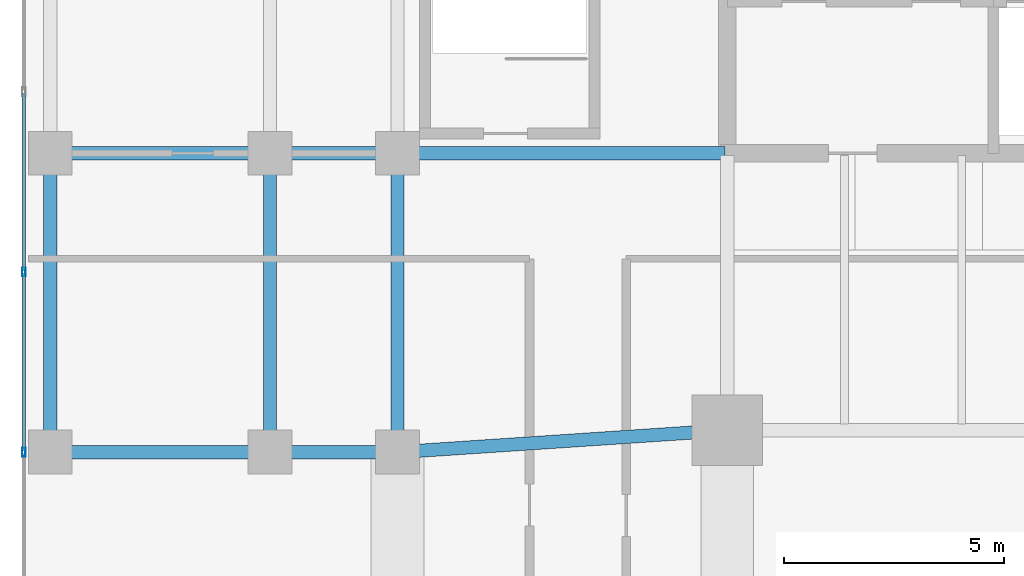
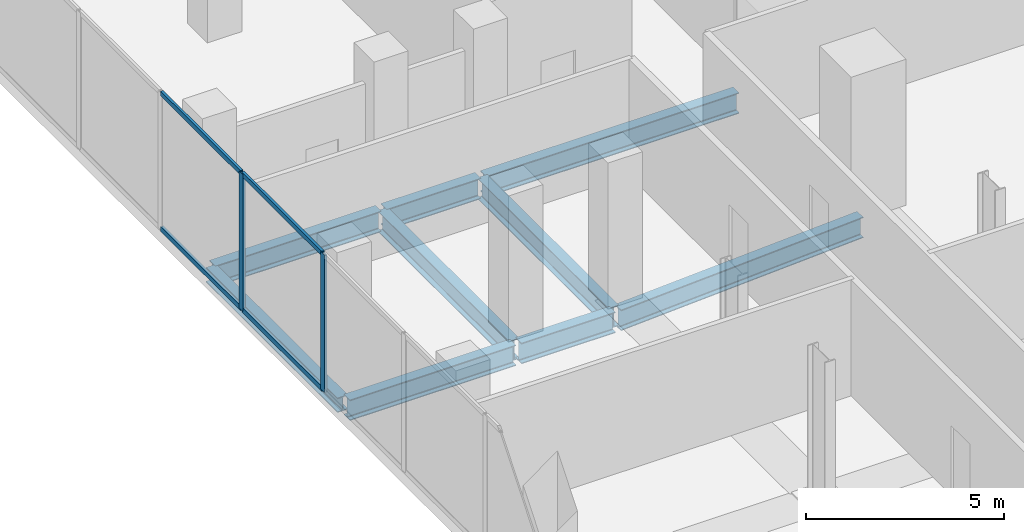
# One storey, part 8 of 24: 9 beams, 6 members, 1 element without a shape of its own.
"""IFC4 building model written with IfcOpenShell, lengths in metres."""

from ifc_helpers import new_model, si_unit, direction, frame, origin, origin_2d, place, context, subcontext, project, spatial, hollow_rectangle, i_section, extrude, material, layer, layer_set, material_profile, profile_set, type_object, element, aggregate, save


model = new_model("IFC4")

# Units and contexts
model_context = context("Model", 3, precision=1e-05, world=origin(), true_north=direction((0.0, 1.0)))
body_context = subcontext(model_context, "Body", "Model", "MODEL_VIEW")
ifc_project = project(units=[si_unit("LENGTHUNIT", "METRE"), si_unit("AREAUNIT", "SQUARE_METRE"), si_unit("VOLUMEUNIT", "CUBIC_METRE"), si_unit("PLANEANGLEUNIT", "RADIAN"), si_unit("MASSUNIT", "GRAM", prefix="KILO")], contexts=[model_context])

# Site, building, storey
site_placement = place(None, origin())
site = spatial("IfcSite", under=ifc_project, at=site_placement, CompositionType="ELEMENT")
building_placement = place(site_placement, origin())
building = spatial("IfcBuilding", under=site, at=building_placement, Name="Catumbela Crestline Tower", CompositionType="ELEMENT")
storey_placement = place(building_placement, frame((0.0, 0.0, 21.3)))
storey = spatial("IfcBuildingStorey", under=building, at=storey_placement, Name="L04", CompositionType="ELEMENT", Elevation=21.3)

# Beams
ifc_material_1 = material(Name="Structural steel S355J2", Category="steel")
ifc_material_profile_1 = material_profile(ifc_material_1, i_section(OverallWidth=0.3, OverallDepth=0.64, WebThickness=0.0135, FlangeThickness=0.026, FilletRadius=0.027, at=origin_2d()), Name="HEA 650")
ifc_profile_set_1 = profile_set([ifc_material_profile_1], Name="Structural steel S355J2")
beam_type_1 = type_object("IfcBeamType", Name="BG-HEA650", PredefinedType="BEAM", material=ifc_profile_set_1)
beam_1_placement = place(storey_placement, frame((0.68, 24.0, -0.77), z_axis=(1.0, 0.0, 0.0), x_axis=(0.0, 1.0, 0.0)))
element("IfcBeam", 1, at=beam_1_placement, inside=storey, type_object=beam_type_1, Name="L04 Beam BM-L04-S01", PredefinedType="BEAM", context=body_context, shape_type="SweptSolid", body=[
    extrude(i_section(OverallWidth=0.3, OverallDepth=0.64, WebThickness=0.0135, FlangeThickness=0.026, FilletRadius=0.027, at=origin_2d()), origin(), (0.0, 0.0, 1.0), 4.84),
])
beam_2_placement = place(storey_placement, frame((5.68, 24.0, -0.77), z_axis=(1.0, 0.0, 0.0), x_axis=(0.0, 1.0, 0.0)))
element("IfcBeam", 2, at=beam_2_placement, inside=storey, type_object=beam_type_1, Name="L04 Beam BM-L04-S02", PredefinedType="BEAM", context=body_context, shape_type="SweptSolid", body=[
    extrude(i_section(OverallWidth=0.3, OverallDepth=0.64, WebThickness=0.0135, FlangeThickness=0.026, FilletRadius=0.027, at=origin_2d()), origin(), (0.0, 0.0, 1.0), 2.74),
])
beam_3_placement = place(storey_placement, frame((8.5798, 24.0053, -0.77), z_axis=(0.997784796964, 0.066524423687, 0.0), x_axis=(-0.066524423687, 0.997784796964, 0.0)))
element("IfcBeam", 3, at=beam_3_placement, inside=storey, type_object=beam_type_1, Name="L04 Beam BM-L04-S03", PredefinedType="BEAM", context=body_context, shape_type="SweptSolid", body=[
    extrude(i_section(OverallWidth=0.3, OverallDepth=0.64, WebThickness=0.0135, FlangeThickness=0.026, FilletRadius=0.027, at=origin_2d()), origin(), (0.0, 0.0, 1.0), 7.3567),
])
beam_4_placement = place(storey_placement, frame((0.68, 30.8, -0.77), z_axis=(1.0, 0.0, 0.0), x_axis=(0.0, 1.0, 0.0)))
element("IfcBeam", 4, at=beam_4_placement, inside=storey, type_object=beam_type_1, Name="L04 Beam BM-L04-M07", PredefinedType="BEAM", context=body_context, shape_type="SweptSolid", body=[
    extrude(i_section(OverallWidth=0.3, OverallDepth=0.64, WebThickness=0.0135, FlangeThickness=0.026, FilletRadius=0.027, at=origin_2d()), origin(), (0.0, 0.0, 1.0), 4.84),
])
beam_5_placement = place(storey_placement, frame((5.68, 30.8, -0.77), z_axis=(1.0, 0.0, 0.0), x_axis=(0.0, 1.0, 0.0)))
element("IfcBeam", 5, at=beam_5_placement, inside=storey, type_object=beam_type_1, Name="L04 Beam BM-L04-M08", PredefinedType="BEAM", context=body_context, shape_type="SweptSolid", body=[
    extrude(i_section(OverallWidth=0.3, OverallDepth=0.64, WebThickness=0.0135, FlangeThickness=0.026, FilletRadius=0.027, at=origin_2d()), origin(), (0.0, 0.0, 1.0), 2.74),
])
beam_6_placement = place(storey_placement, frame((8.58, 30.8, -0.77), z_axis=(1.0, 0.0, 0.0), x_axis=(0.0, 1.0, 0.0)))
element("IfcBeam", 6, at=beam_6_placement, inside=storey, type_object=beam_type_1, Name="L04 Beam BM-L04-M09", PredefinedType="BEAM", context=body_context, shape_type="SweptSolid", body=[
    extrude(i_section(OverallWidth=0.3, OverallDepth=0.64, WebThickness=0.0135, FlangeThickness=0.026, FilletRadius=0.027, at=origin_2d()), origin(), (0.0, 0.0, 1.0), 7.37),
])
for number, where, z_axis, x_axis, name in (
    (7, (5.6, 24.08, -0.77), (0.0, 1.0, 0.0), (-1.0, 0.0, 0.0), "L04 Beam BM-L04-SN26"),
    (8, (8.5, 24.08, -0.77), (0.0, 1.0, 0.0), (-1.0, 0.0, 0.0), "L04 Beam BM-L04-SN28"),
):
    element("IfcBeam", number, at=place(storey_placement, frame(where, z_axis=z_axis, x_axis=x_axis)), inside=storey, type_object=beam_type_1, Name=name, PredefinedType="BEAM", context=body_context, shape_type="SweptSolid", body=[
        extrude(i_section(OverallWidth=0.3, OverallDepth=0.64, WebThickness=0.0135, FlangeThickness=0.026, FilletRadius=0.027, at=origin_2d()), origin(), (0.0, 0.0, 1.0), 6.64),
    ])

# Curtain wall, members
ifc_material_2 = material(Name="Aluminium alloy AW-6060-T66", Category="aluminium")
ifc_layer = layer(ifc_material_2, 0.18, Name="Aluminium alloy AW-6060-T66")
ifc_layer_set = layer_set([ifc_layer], Name="Aluminium alloy AW-6060-T66")
curtain_wall_type = type_object("IfcCurtainWallType", Name="CWS-POD", PredefinedType="USERDEFINED", material=ifc_layer_set)
curtain_wall_placement = place(storey_placement, origin())
curtain_wall = element("IfcCurtainWall", 9, at=curtain_wall_placement, inside=storey, type_object=curtain_wall_type, Name="L04 Stick Curtain Wall CW-L04-E9S1", ObjectType="STICK", PredefinedType="USERDEFINED")
ifc_material_profile_2 = material_profile(ifc_material_2, hollow_rectangle(XDim=0.075, YDim=0.2, WallThickness=0.005, at=origin_2d()), Name="ALU 200x75x5")
ifc_profile_set_2 = profile_set([ifc_material_profile_2], Name="Aluminium alloy AW-6060-T66")
member_type_1 = type_object("IfcMemberType", Name="MUL-200X75", PredefinedType="MULLION", material=ifc_profile_set_2)
member_1_placement = place(storey_placement, frame((0.0, 28.1, 0.0), z_axis=(0.0, 0.0, 1.0), x_axis=(1.0, 0.0, 0.0)))
member_1 = element("IfcMember", 10, at=member_1_placement, type_object=member_type_1, Name="CWS-POD mullion 5", PredefinedType="MULLION", context=body_context, shape_type="SweptSolid", body=[
    extrude(hollow_rectangle(XDim=0.075, YDim=0.2, WallThickness=0.005, at=origin_2d()), origin(), (0.0, 0.0, 1.0), 4.23),
])
member_2_placement = place(storey_placement, frame((0.0, 24.0, 0.0), z_axis=(0.0, 0.0, 1.0), x_axis=(1.0, 0.0, 0.0)))
member_2 = element("IfcMember", 11, at=member_2_placement, type_object=member_type_1, Name="CWS-POD mullion 6", PredefinedType="MULLION", context=body_context, shape_type="SweptSolid", body=[
    extrude(hollow_rectangle(XDim=0.075, YDim=0.2, WallThickness=0.005, at=origin_2d()), origin(), (0.0, 0.0, 1.0), 4.23),
])

# Beam
ifc_material_profile_3 = material_profile(ifc_material_1, i_section(OverallWidth=0.3, OverallDepth=0.45, WebThickness=0.014, FlangeThickness=0.026, FilletRadius=0.027, at=origin_2d()), Name="HEB 450")
ifc_profile_set_3 = profile_set([ifc_material_profile_3], Name="Structural steel S355J2")
beam_type_2 = type_object("IfcBeamType", Name="BS-HEB450", PredefinedType="SPANDREL", material=ifc_profile_set_3)
beam_7_placement = place(storey_placement, frame((0.6, 24.08, -0.675), z_axis=(0.0, 1.0, 0.0), x_axis=(-1.0, 0.0, 0.0)))
element("IfcBeam", 12, at=beam_7_placement, inside=storey, type_object=beam_type_2, Name="L04 Spandrel SP-L04-SN24", PredefinedType="SPANDREL", context=body_context, shape_type="SweptSolid", body=[
    extrude(i_section(OverallWidth=0.3, OverallDepth=0.45, WebThickness=0.014, FlangeThickness=0.026, FilletRadius=0.027, at=origin_2d()), origin(), (0.0, 0.0, 1.0), 6.64),
])

# Member
ifc_material_profile_4 = material_profile(ifc_material_2, hollow_rectangle(XDim=0.075, YDim=0.15, WallThickness=0.0045, at=origin_2d()), Name="ALU 150x75x4.5")
ifc_profile_set_4 = profile_set([ifc_material_profile_4], Name="Aluminium alloy AW-6060-T66")
member_type_2 = type_object("IfcMemberType", Name="TRN-150X75", PredefinedType="USERDEFINED", material=ifc_profile_set_4)
member_3_placement = place(storey_placement, frame((0.0, 32.1675, 0.03), z_axis=(0.0, -1.0, 0.0), x_axis=(1.0, 0.0, 0.0)))
member_3 = element("IfcMember", 13, at=member_3_placement, type_object=member_type_2, Name="CWS-POD transom 4.1", ObjectType="TRANSOM", PredefinedType="USERDEFINED", context=body_context, shape_type="SweptSolid", body=[
    extrude(hollow_rectangle(XDim=0.075, YDim=0.15, WallThickness=0.0045, at=origin_2d()), origin(), (0.0, 0.0, 1.0), 4.035),
])

member_4_placement = place(storey_placement, frame((0.0, 32.1675, 4.2), z_axis=(0.0, -1.0, 0.0), x_axis=(1.0, 0.0, 0.0)))
member_4 = element("IfcMember", 14, at=member_4_placement, type_object=member_type_2, Name="CWS-POD transom 4.2", ObjectType="TRANSOM", PredefinedType="USERDEFINED", context=body_context, shape_type="SweptSolid", body=[
    extrude(hollow_rectangle(XDim=0.075, YDim=0.15, WallThickness=0.0045, at=origin_2d()), origin(), (0.0, 0.0, 1.0), 4.035),
])

member_5_placement = place(storey_placement, frame((0.0, 28.0675, 0.03), z_axis=(0.0, -1.0, 0.0), x_axis=(1.0, 0.0, 0.0)))
member_5 = element("IfcMember", 15, at=member_5_placement, type_object=member_type_2, Name="CWS-POD transom 5.1", ObjectType="TRANSOM", PredefinedType="USERDEFINED", context=body_context, shape_type="SweptSolid", body=[
    extrude(hollow_rectangle(XDim=0.075, YDim=0.15, WallThickness=0.0045, at=origin_2d()), origin(), (0.0, 0.0, 1.0), 4.035),
])

member_6_placement = place(storey_placement, frame((0.0, 28.0675, 4.2), z_axis=(0.0, -1.0, 0.0), x_axis=(1.0, 0.0, 0.0)))
member_6 = element("IfcMember", 16, at=member_6_placement, type_object=member_type_2, Name="CWS-POD transom 5.2", ObjectType="TRANSOM", PredefinedType="USERDEFINED", context=body_context, shape_type="SweptSolid", body=[
    extrude(hollow_rectangle(XDim=0.075, YDim=0.15, WallThickness=0.0045, at=origin_2d()), origin(), (0.0, 0.0, 1.0), 4.035),
])

aggregate(curtain_wall, [member_1, member_2, member_3, member_4, member_5, member_6])

save(model, "model.ifc")
